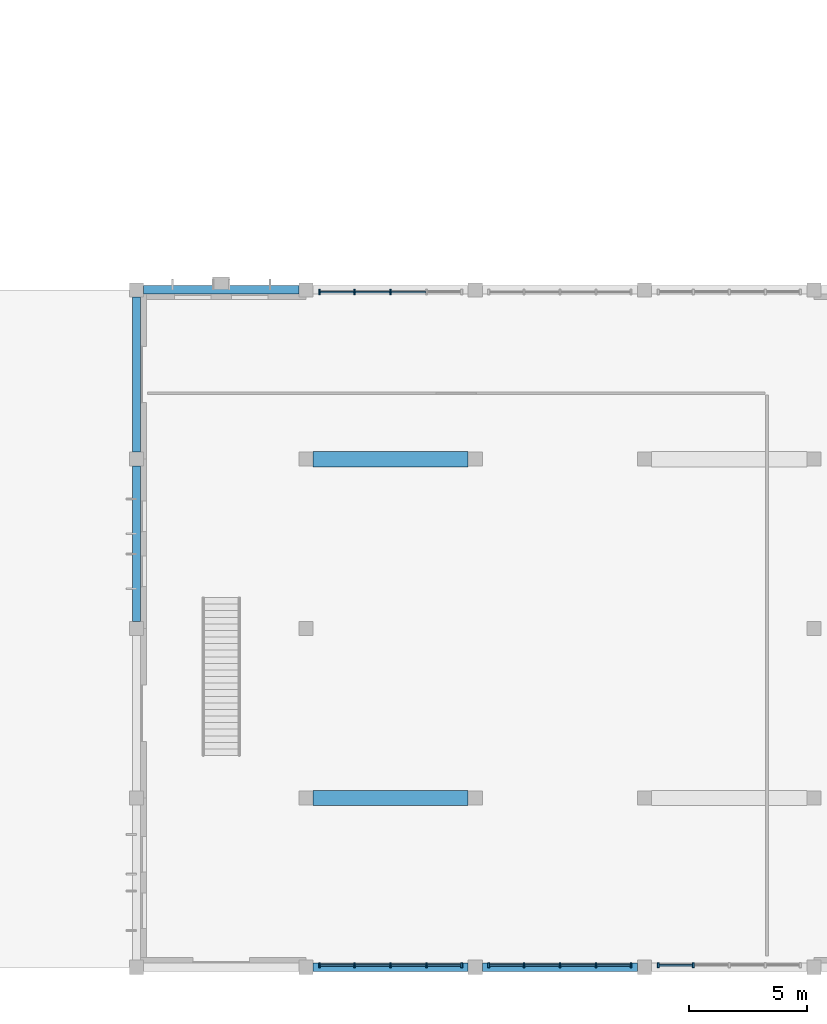
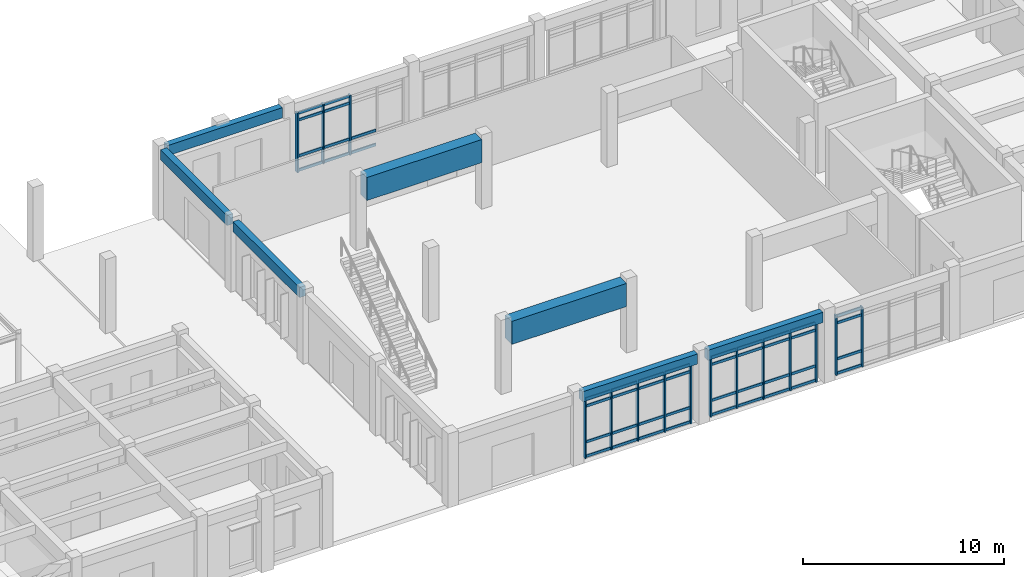
# One storey, part 11 of 43: 61 members, 7 beams, 4 elements without a shape of their own.
"""IFC4 building model written with IfcOpenShell, lengths in metres."""

from ifc_helpers import new_model, si_unit, direction, frame, origin, origin_2d, place, context, subcontext, project, spatial, rectangle, extrude, material, material_profile, profile_set, type_object, element, aggregate, save


model = new_model("IFC4")

# Units and contexts
model_context = context("Model", 3, precision=1e-05, world=origin(), true_north=direction((0.0, 1.0)))
body_context = subcontext(model_context, "Body", "Model", "MODEL_VIEW")
ifc_project = project(units=[si_unit("LENGTHUNIT", "METRE"), si_unit("AREAUNIT", "SQUARE_METRE"), si_unit("VOLUMEUNIT", "CUBIC_METRE"), si_unit("PLANEANGLEUNIT", "RADIAN"), si_unit("MASSUNIT", "GRAM", prefix="KILO")], contexts=[model_context])

# Site, building, storey
site_placement = place(None, origin())
site = spatial("IfcSite", under=ifc_project, at=site_placement, CompositionType="ELEMENT")
building_placement = place(site_placement, origin())
building = spatial("IfcBuilding", under=site, at=building_placement, Name="Alvorim Cloister Faculty of Sciences", CompositionType="ELEMENT")
storey_placement = place(building_placement, origin())
storey = spatial("IfcBuildingStorey", under=building, at=storey_placement, Name="L00", CompositionType="ELEMENT", Elevation=0.0)

# Beams
ifc_material_1 = material(Name="Concrete C40", Category="concrete")
ifc_material_profile_1 = material_profile(ifc_material_1, rectangle(XDim=0.35009765625, YDim=0.6201171875, at=origin_2d()), Name="RC40-SPD-350x620")
ifc_profile_set_1 = profile_set([ifc_material_profile_1], Name="Concrete C40")
beam_type_1 = type_object("IfcBeamType", Name="BM-SPD-RC-350x620", PredefinedType="SPANDREL", material=ifc_profile_set_1)
for number, where, z_axis, x_axis, name in (
    (1, (79.5, 0.0, 3.93994140625), (1.0, 0.0, 0.0), (0.0, 1.0, 0.0), "L00 Primary Beam BM-0599"),
    (2, (86.699951171875, 0.0, 3.93994140625), (1.0, 0.0, 0.0), (0.0, 1.0, 0.0), "L00 Primary Beam BM-0600"),
):
    element("IfcBeam", number, at=place(storey_placement, frame(where, z_axis=z_axis, x_axis=x_axis)), inside=storey, type_object=beam_type_1, Name=name, PredefinedType="SPANDREL", context=body_context, shape_type="SweptSolid", body=[
        extrude(rectangle(XDim=0.35009765625, YDim=0.6201171875, at=origin_2d()), origin(), (0.0, 0.0, 1.0), 6.60009765625),
    ])
beam_placement = place(storey_placement, frame((72.300048828125, 28.800048828125, 3.93994140625), z_axis=(1.0, 0.0, 0.0), x_axis=(0.0, 1.0, 0.0)))
element("IfcBeam", 3, at=beam_placement, inside=storey, type_object=beam_type_1, Name="L00 Primary Beam BM-0635", PredefinedType="SPANDREL", context=body_context, shape_type="SweptSolid", body=[
    extrude(rectangle(XDim=0.35009765625, YDim=0.6201171875, at=origin_2d()), origin(), (0.0, 0.0, 1.0), 6.599853515625),
])
for number, where, z_axis, x_axis, name in (
    (4, (72.0, 14.699951171875, 3.93994140625), (0.0, 1.0, 0.0), (-1.0, 0.0, 0.0), "L00 Primary Girder BM-0796"),
    (5, (72.0, 21.89990234375, 3.93994140625), (0.0, 1.0, 0.0), (-1.0, 0.0, 0.0), "L00 Primary Girder BM-0797"),
):
    element("IfcBeam", number, at=place(storey_placement, frame(where, z_axis=z_axis, x_axis=x_axis)), inside=storey, type_object=beam_type_1, Name=name, PredefinedType="SPANDREL", context=body_context, shape_type="SweptSolid", body=[
        extrude(rectangle(XDim=0.35009765625, YDim=0.6201171875, at=origin_2d()), origin(), (0.0, 0.0, 1.0), 6.60009765625),
    ])
ifc_material_2 = material(Name="Concrete C45", Category="concrete")
ifc_material_profile_2 = material_profile(ifc_material_2, rectangle(XDim=0.64990234375, YDim=1.39990234375, at=origin_2d()), Name="RC45-TG-650x1400")
ifc_profile_set_2 = profile_set([ifc_material_profile_2], Name="Concrete C45")
beam_type_2 = type_object("IfcBeamType", Name="BM-TG-650x1400", PredefinedType="USERDEFINED", material=ifc_profile_set_2)
for number, where, z_axis, x_axis, name in (
    (6, (79.5, 7.199951171875, 3.550048828125), (1.0, 0.0, 0.0), (0.0, 1.0, 0.0), "L00 Atrium Portal Transfer Girder BM-0230"),
    (7, (79.5, 21.60009765625, 3.550048828125), (1.0, 0.0, 0.0), (0.0, 1.0, 0.0), "L00 Atrium Portal Transfer Girder BM-0232"),
):
    element("IfcBeam", number, at=place(storey_placement, frame(where, z_axis=z_axis, x_axis=x_axis)), inside=storey, type_object=beam_type_2, Name=name, ObjectType="TRANSFER GIRDER", PredefinedType="USERDEFINED", context=body_context, shape_type="SweptSolid", body=[
        extrude(rectangle(XDim=0.64990234375, YDim=1.39990234375, at=origin_2d()), origin(), (0.0, 0.0, 1.0), 6.60009765625),
    ])

# Curtain wall, members
ifc_material_3 = material(Name="Aluminium and Low-E Glass Curtain Wall", Category="aluminium")
curtain_wall_type = type_object("IfcCurtainWallType", Name="CW-GLZ-6120x3630", PredefinedType="USERDEFINED", material=ifc_material_3)
curtain_wall_1_placement = place(storey_placement, origin())
curtain_wall_1 = element("IfcCurtainWall", 8, at=curtain_wall_1_placement, inside=storey, type_object=curtain_wall_type, Name="L00 Entrance and Atrium Glazed Curtain Wall CW-0001", ObjectType="UNITISED CURTAIN WALL", PredefinedType="USERDEFINED")
ifc_material_4 = material(Name="Aluminium Alloy 6063-T6", Category="aluminium")
ifc_material_profile_3 = material_profile(ifc_material_4, rectangle(XDim=0.074951171875, YDim=0.219970703125, at=origin_2d()), Name="ALU-MUL-75x220")
ifc_profile_set_3 = profile_set([ifc_material_profile_3], Name="Aluminium Alloy 6063-T6")
member_type_1 = type_object("IfcMemberType", Name="CW-MUL-75x220", PredefinedType="MULLION", material=ifc_profile_set_3)
member_1_placement = place(storey_placement, frame((94.177490234375, 0.090087890625, 0.0), z_axis=(0.0, 0.0, 1.0), x_axis=(1.0, 0.0, 0.0)))
member_1 = element("IfcMember", 9, at=member_1_placement, type_object=member_type_1, Name="CW-01 mullion 1", PredefinedType="MULLION", context=body_context, shape_type="SweptSolid", body=[
    extrude(rectangle(XDim=0.074951171875, YDim=0.219970703125, at=origin_2d()), origin(), (0.0, 0.0, 1.0), 3.6298828125),
])
member_2_placement = place(storey_placement, frame((95.669921875, 0.090087890625, 0.0), z_axis=(0.0, 0.0, 1.0), x_axis=(1.0, 0.0, 0.0)))
member_2 = element("IfcMember", 10, at=member_2_placement, type_object=member_type_1, Name="CW-01 mullion 2", PredefinedType="MULLION", context=body_context, shape_type="SweptSolid", body=[
    extrude(rectangle(XDim=0.074951171875, YDim=0.219970703125, at=origin_2d()), origin(), (0.0, 0.0, 1.0), 3.6298828125),
])

curtain_wall_2_placement = place(storey_placement, origin())
curtain_wall_2 = element("IfcCurtainWall", 11, at=curtain_wall_2_placement, inside=storey, type_object=curtain_wall_type, Name="L00 Entrance and Atrium Glazed Curtain Wall CW-0002", ObjectType="UNITISED CURTAIN WALL", PredefinedType="USERDEFINED")
member_3_placement = place(storey_placement, frame((86.9775390625, 0.090087890625, 0.0), z_axis=(0.0, 0.0, 1.0), x_axis=(1.0, 0.0, 0.0)))
member_3 = element("IfcMember", 12, at=member_3_placement, type_object=member_type_1, Name="CW-01 mullion 1", PredefinedType="MULLION", context=body_context, shape_type="SweptSolid", body=[
    extrude(rectangle(XDim=0.074951171875, YDim=0.219970703125, at=origin_2d()), origin(), (0.0, 0.0, 1.0), 3.6298828125),
])
member_4_placement = place(storey_placement, frame((88.469970703125, 0.090087890625, 0.0), z_axis=(0.0, 0.0, 1.0), x_axis=(1.0, 0.0, 0.0)))
member_4 = element("IfcMember", 13, at=member_4_placement, type_object=member_type_1, Name="CW-01 mullion 2", PredefinedType="MULLION", context=body_context, shape_type="SweptSolid", body=[
    extrude(rectangle(XDim=0.074951171875, YDim=0.219970703125, at=origin_2d()), origin(), (0.0, 0.0, 1.0), 3.6298828125),
])
member_5_placement = place(storey_placement, frame((90.0, 0.090087890625, 0.0), z_axis=(0.0, 0.0, 1.0), x_axis=(1.0, 0.0, 0.0)))
member_5 = element("IfcMember", 14, at=member_5_placement, type_object=member_type_1, Name="CW-01 mullion 3", PredefinedType="MULLION", context=body_context, shape_type="SweptSolid", body=[
    extrude(rectangle(XDim=0.074951171875, YDim=0.219970703125, at=origin_2d()), origin(), (0.0, 0.0, 1.0), 3.6298828125),
])
member_6_placement = place(storey_placement, frame((91.530029296875, 0.090087890625, 0.0), z_axis=(0.0, 0.0, 1.0), x_axis=(1.0, 0.0, 0.0)))
member_6 = element("IfcMember", 15, at=member_6_placement, type_object=member_type_1, Name="CW-01 mullion 4", PredefinedType="MULLION", context=body_context, shape_type="SweptSolid", body=[
    extrude(rectangle(XDim=0.074951171875, YDim=0.219970703125, at=origin_2d()), origin(), (0.0, 0.0, 1.0), 3.6298828125),
])
member_7_placement = place(storey_placement, frame((93.0224609375, 0.090087890625, 0.0), z_axis=(0.0, 0.0, 1.0), x_axis=(1.0, 0.0, 0.0)))
member_7 = element("IfcMember", 16, at=member_7_placement, type_object=member_type_1, Name="CW-01 mullion 5", PredefinedType="MULLION", context=body_context, shape_type="SweptSolid", body=[
    extrude(rectangle(XDim=0.074951171875, YDim=0.219970703125, at=origin_2d()), origin(), (0.0, 0.0, 1.0), 3.6298828125),
])

curtain_wall_3_placement = place(storey_placement, origin())
curtain_wall_3 = element("IfcCurtainWall", 17, at=curtain_wall_3_placement, inside=storey, type_object=curtain_wall_type, Name="L00 Entrance and Atrium Glazed Curtain Wall CW-0003", ObjectType="UNITISED CURTAIN WALL", PredefinedType="USERDEFINED")
member_8_placement = place(storey_placement, frame((79.777587890625, 0.090087890625, 0.0), z_axis=(0.0, 0.0, 1.0), x_axis=(1.0, 0.0, 0.0)))
member_8 = element("IfcMember", 18, at=member_8_placement, type_object=member_type_1, Name="CW-01 mullion 1", PredefinedType="MULLION", context=body_context, shape_type="SweptSolid", body=[
    extrude(rectangle(XDim=0.074951171875, YDim=0.219970703125, at=origin_2d()), origin(), (0.0, 0.0, 1.0), 3.6298828125),
])
member_9_placement = place(storey_placement, frame((81.27001953125, 0.090087890625, 0.0), z_axis=(0.0, 0.0, 1.0), x_axis=(1.0, 0.0, 0.0)))
member_9 = element("IfcMember", 19, at=member_9_placement, type_object=member_type_1, Name="CW-01 mullion 2", PredefinedType="MULLION", context=body_context, shape_type="SweptSolid", body=[
    extrude(rectangle(XDim=0.074951171875, YDim=0.219970703125, at=origin_2d()), origin(), (0.0, 0.0, 1.0), 3.6298828125),
])
member_10_placement = place(storey_placement, frame((82.800048828125, 0.090087890625, 0.0), z_axis=(0.0, 0.0, 1.0), x_axis=(1.0, 0.0, 0.0)))
member_10 = element("IfcMember", 20, at=member_10_placement, type_object=member_type_1, Name="CW-01 mullion 3", PredefinedType="MULLION", context=body_context, shape_type="SweptSolid", body=[
    extrude(rectangle(XDim=0.074951171875, YDim=0.219970703125, at=origin_2d()), origin(), (0.0, 0.0, 1.0), 3.6298828125),
])
member_11_placement = place(storey_placement, frame((84.330078125, 0.090087890625, 0.0), z_axis=(0.0, 0.0, 1.0), x_axis=(1.0, 0.0, 0.0)))
member_11 = element("IfcMember", 21, at=member_11_placement, type_object=member_type_1, Name="CW-01 mullion 4", PredefinedType="MULLION", context=body_context, shape_type="SweptSolid", body=[
    extrude(rectangle(XDim=0.074951171875, YDim=0.219970703125, at=origin_2d()), origin(), (0.0, 0.0, 1.0), 3.6298828125),
])
member_12_placement = place(storey_placement, frame((85.822509765625, 0.090087890625, 0.0), z_axis=(0.0, 0.0, 1.0), x_axis=(1.0, 0.0, 0.0)))
member_12 = element("IfcMember", 22, at=member_12_placement, type_object=member_type_1, Name="CW-01 mullion 5", PredefinedType="MULLION", context=body_context, shape_type="SweptSolid", body=[
    extrude(rectangle(XDim=0.074951171875, YDim=0.219970703125, at=origin_2d()), origin(), (0.0, 0.0, 1.0), 3.6298828125),
])

curtain_wall_4_placement = place(storey_placement, origin())
curtain_wall_4 = element("IfcCurtainWall", 23, at=curtain_wall_4_placement, inside=storey, type_object=curtain_wall_type, Name="L00 Entrance and Atrium Glazed Curtain Wall CW-0004", ObjectType="UNITISED CURTAIN WALL", PredefinedType="USERDEFINED")
member_13_placement = place(storey_placement, frame((79.777587890625, 28.7099609375, 0.0), z_axis=(0.0, 0.0, 1.0), x_axis=(1.0, 0.0, 0.0)))
member_13 = element("IfcMember", 24, at=member_13_placement, type_object=member_type_1, Name="CW-01 mullion 1", PredefinedType="MULLION", context=body_context, shape_type="SweptSolid", body=[
    extrude(rectangle(XDim=0.074951171875, YDim=0.219970703125, at=origin_2d()), origin(), (0.0, 0.0, 1.0), 3.6298828125),
])
member_14_placement = place(storey_placement, frame((81.27001953125, 28.7099609375, 0.0), z_axis=(0.0, 0.0, 1.0), x_axis=(1.0, 0.0, 0.0)))
member_14 = element("IfcMember", 25, at=member_14_placement, type_object=member_type_1, Name="CW-01 mullion 2", PredefinedType="MULLION", context=body_context, shape_type="SweptSolid", body=[
    extrude(rectangle(XDim=0.074951171875, YDim=0.219970703125, at=origin_2d()), origin(), (0.0, 0.0, 1.0), 3.6298828125),
])
member_15_placement = place(storey_placement, frame((82.800048828125, 28.7099609375, 0.0), z_axis=(0.0, 0.0, 1.0), x_axis=(1.0, 0.0, 0.0)))
member_15 = element("IfcMember", 26, at=member_15_placement, type_object=member_type_1, Name="CW-01 mullion 3", PredefinedType="MULLION", context=body_context, shape_type="SweptSolid", body=[
    extrude(rectangle(XDim=0.074951171875, YDim=0.219970703125, at=origin_2d()), origin(), (0.0, 0.0, 1.0), 3.6298828125),
])

# Member
ifc_material_profile_4 = material_profile(ifc_material_4, rectangle(XDim=0.074951171875, YDim=0.159912109375, at=origin_2d()), Name="ALU-TRN-75x160")
ifc_profile_set_4 = profile_set([ifc_material_profile_4], Name="Aluminium Alloy 6063-T6")
member_type_2 = type_object("IfcMemberType", Name="CW-TRN-75x160", PredefinedType="USERDEFINED", material=ifc_profile_set_4)
member_16_placement = place(storey_placement, frame((94.215087890625, 0.090087890625, 0.080078125), z_axis=(1.0, 0.0, 0.0), x_axis=(0.0, 1.0, 0.0)))
member_16 = element("IfcMember", 27, at=member_16_placement, type_object=member_type_2, Name="CW-01 transom 1.1", ObjectType="TRANSOM", PredefinedType="USERDEFINED", context=body_context, shape_type="SweptSolid", body=[
    extrude(rectangle(XDim=0.074951171875, YDim=0.159912109375, at=origin_2d()), origin(), (0.0, 0.0, 1.0), 1.41748046875),
])

member_17_placement = place(storey_placement, frame((94.215087890625, 0.090087890625, 0.949951171875), z_axis=(1.0, 0.0, 0.0), x_axis=(0.0, 1.0, 0.0)))
member_17 = element("IfcMember", 28, at=member_17_placement, type_object=member_type_2, Name="CW-01 transom 1.2", ObjectType="TRANSOM", PredefinedType="USERDEFINED", context=body_context, shape_type="SweptSolid", body=[
    extrude(rectangle(XDim=0.074951171875, YDim=0.159912109375, at=origin_2d()), origin(), (0.0, 0.0, 1.0), 1.41748046875),
])

member_18_placement = place(storey_placement, frame((94.215087890625, 0.090087890625, 3.1298828125), z_axis=(1.0, 0.0, 0.0), x_axis=(0.0, 1.0, 0.0)))
member_18 = element("IfcMember", 29, at=member_18_placement, type_object=member_type_2, Name="CW-01 transom 1.3", ObjectType="TRANSOM", PredefinedType="USERDEFINED", context=body_context, shape_type="SweptSolid", body=[
    extrude(rectangle(XDim=0.074951171875, YDim=0.159912109375, at=origin_2d()), origin(), (0.0, 0.0, 1.0), 1.41748046875),
])

member_19_placement = place(storey_placement, frame((94.215087890625, 0.090087890625, 3.550048828125), z_axis=(1.0, 0.0, 0.0), x_axis=(0.0, 1.0, 0.0)))
member_19 = element("IfcMember", 30, at=member_19_placement, type_object=member_type_2, Name="CW-01 transom 1.4", ObjectType="TRANSOM", PredefinedType="USERDEFINED", context=body_context, shape_type="SweptSolid", body=[
    extrude(rectangle(XDim=0.074951171875, YDim=0.159912109375, at=origin_2d()), origin(), (0.0, 0.0, 1.0), 1.41748046875),
])

aggregate(curtain_wall_1, [member_1, member_2, member_16, member_17, member_18, member_19])

member_20_placement = place(storey_placement, frame((87.014892578125, 0.090087890625, 0.080078125), z_axis=(1.0, 0.0, 0.0), x_axis=(0.0, 1.0, 0.0)))
member_20 = element("IfcMember", 31, at=member_20_placement, type_object=member_type_2, Name="CW-01 transom 1.1", ObjectType="TRANSOM", PredefinedType="USERDEFINED", context=body_context, shape_type="SweptSolid", body=[
    extrude(rectangle(XDim=0.074951171875, YDim=0.159912109375, at=origin_2d()), origin(), (0.0, 0.0, 1.0), 1.417724609375),
])

member_21_placement = place(storey_placement, frame((87.014892578125, 0.090087890625, 0.949951171875), z_axis=(1.0, 0.0, 0.0), x_axis=(0.0, 1.0, 0.0)))
member_21 = element("IfcMember", 32, at=member_21_placement, type_object=member_type_2, Name="CW-01 transom 1.2", ObjectType="TRANSOM", PredefinedType="USERDEFINED", context=body_context, shape_type="SweptSolid", body=[
    extrude(rectangle(XDim=0.074951171875, YDim=0.159912109375, at=origin_2d()), origin(), (0.0, 0.0, 1.0), 1.417724609375),
])

member_22_placement = place(storey_placement, frame((87.014892578125, 0.090087890625, 3.1298828125), z_axis=(1.0, 0.0, 0.0), x_axis=(0.0, 1.0, 0.0)))
member_22 = element("IfcMember", 33, at=member_22_placement, type_object=member_type_2, Name="CW-01 transom 1.3", ObjectType="TRANSOM", PredefinedType="USERDEFINED", context=body_context, shape_type="SweptSolid", body=[
    extrude(rectangle(XDim=0.074951171875, YDim=0.159912109375, at=origin_2d()), origin(), (0.0, 0.0, 1.0), 1.417724609375),
])

member_23_placement = place(storey_placement, frame((87.014892578125, 0.090087890625, 3.550048828125), z_axis=(1.0, 0.0, 0.0), x_axis=(0.0, 1.0, 0.0)))
member_23 = element("IfcMember", 34, at=member_23_placement, type_object=member_type_2, Name="CW-01 transom 1.4", ObjectType="TRANSOM", PredefinedType="USERDEFINED", context=body_context, shape_type="SweptSolid", body=[
    extrude(rectangle(XDim=0.074951171875, YDim=0.159912109375, at=origin_2d()), origin(), (0.0, 0.0, 1.0), 1.417724609375),
])

member_24_placement = place(storey_placement, frame((88.507568359375, 0.090087890625, 0.080078125), z_axis=(1.0, 0.0, 0.0), x_axis=(0.0, 1.0, 0.0)))
member_24 = element("IfcMember", 35, at=member_24_placement, type_object=member_type_2, Name="CW-01 transom 2.1", ObjectType="TRANSOM", PredefinedType="USERDEFINED", context=body_context, shape_type="SweptSolid", body=[
    extrude(rectangle(XDim=0.074951171875, YDim=0.159912109375, at=origin_2d()), origin(), (0.0, 0.0, 1.0), 1.454833984375),
])

member_25_placement = place(storey_placement, frame((88.507568359375, 0.090087890625, 0.949951171875), z_axis=(1.0, 0.0, 0.0), x_axis=(0.0, 1.0, 0.0)))
member_25 = element("IfcMember", 36, at=member_25_placement, type_object=member_type_2, Name="CW-01 transom 2.2", ObjectType="TRANSOM", PredefinedType="USERDEFINED", context=body_context, shape_type="SweptSolid", body=[
    extrude(rectangle(XDim=0.074951171875, YDim=0.159912109375, at=origin_2d()), origin(), (0.0, 0.0, 1.0), 1.454833984375),
])

member_26_placement = place(storey_placement, frame((88.507568359375, 0.090087890625, 3.1298828125), z_axis=(1.0, 0.0, 0.0), x_axis=(0.0, 1.0, 0.0)))
member_26 = element("IfcMember", 37, at=member_26_placement, type_object=member_type_2, Name="CW-01 transom 2.3", ObjectType="TRANSOM", PredefinedType="USERDEFINED", context=body_context, shape_type="SweptSolid", body=[
    extrude(rectangle(XDim=0.074951171875, YDim=0.159912109375, at=origin_2d()), origin(), (0.0, 0.0, 1.0), 1.454833984375),
])

member_27_placement = place(storey_placement, frame((88.507568359375, 0.090087890625, 3.550048828125), z_axis=(1.0, 0.0, 0.0), x_axis=(0.0, 1.0, 0.0)))
member_27 = element("IfcMember", 38, at=member_27_placement, type_object=member_type_2, Name="CW-01 transom 2.4", ObjectType="TRANSOM", PredefinedType="USERDEFINED", context=body_context, shape_type="SweptSolid", body=[
    extrude(rectangle(XDim=0.074951171875, YDim=0.159912109375, at=origin_2d()), origin(), (0.0, 0.0, 1.0), 1.454833984375),
])

member_28_placement = place(storey_placement, frame((90.03759765625, 0.090087890625, 0.080078125), z_axis=(1.0, 0.0, 0.0), x_axis=(0.0, 1.0, 0.0)))
member_28 = element("IfcMember", 39, at=member_28_placement, type_object=member_type_2, Name="CW-01 transom 3.1", ObjectType="TRANSOM", PredefinedType="USERDEFINED", context=body_context, shape_type="SweptSolid", body=[
    extrude(rectangle(XDim=0.074951171875, YDim=0.159912109375, at=origin_2d()), origin(), (0.0, 0.0, 1.0), 1.454833984375),
])

member_29_placement = place(storey_placement, frame((90.03759765625, 0.090087890625, 0.949951171875), z_axis=(1.0, 0.0, 0.0), x_axis=(0.0, 1.0, 0.0)))
member_29 = element("IfcMember", 40, at=member_29_placement, type_object=member_type_2, Name="CW-01 transom 3.2", ObjectType="TRANSOM", PredefinedType="USERDEFINED", context=body_context, shape_type="SweptSolid", body=[
    extrude(rectangle(XDim=0.074951171875, YDim=0.159912109375, at=origin_2d()), origin(), (0.0, 0.0, 1.0), 1.454833984375),
])

member_30_placement = place(storey_placement, frame((90.03759765625, 0.090087890625, 3.1298828125), z_axis=(1.0, 0.0, 0.0), x_axis=(0.0, 1.0, 0.0)))
member_30 = element("IfcMember", 41, at=member_30_placement, type_object=member_type_2, Name="CW-01 transom 3.3", ObjectType="TRANSOM", PredefinedType="USERDEFINED", context=body_context, shape_type="SweptSolid", body=[
    extrude(rectangle(XDim=0.074951171875, YDim=0.159912109375, at=origin_2d()), origin(), (0.0, 0.0, 1.0), 1.454833984375),
])

member_31_placement = place(storey_placement, frame((90.03759765625, 0.090087890625, 3.550048828125), z_axis=(1.0, 0.0, 0.0), x_axis=(0.0, 1.0, 0.0)))
member_31 = element("IfcMember", 42, at=member_31_placement, type_object=member_type_2, Name="CW-01 transom 3.4", ObjectType="TRANSOM", PredefinedType="USERDEFINED", context=body_context, shape_type="SweptSolid", body=[
    extrude(rectangle(XDim=0.074951171875, YDim=0.159912109375, at=origin_2d()), origin(), (0.0, 0.0, 1.0), 1.454833984375),
])

member_32_placement = place(storey_placement, frame((91.5673828125, 0.090087890625, 0.080078125), z_axis=(1.0, 0.0, 0.0), x_axis=(0.0, 1.0, 0.0)))
member_32 = element("IfcMember", 43, at=member_32_placement, type_object=member_type_2, Name="CW-01 transom 4.1", ObjectType="TRANSOM", PredefinedType="USERDEFINED", context=body_context, shape_type="SweptSolid", body=[
    extrude(rectangle(XDim=0.074951171875, YDim=0.159912109375, at=origin_2d()), origin(), (0.0, 0.0, 1.0), 1.417724609375),
])

member_33_placement = place(storey_placement, frame((91.5673828125, 0.090087890625, 0.949951171875), z_axis=(1.0, 0.0, 0.0), x_axis=(0.0, 1.0, 0.0)))
member_33 = element("IfcMember", 44, at=member_33_placement, type_object=member_type_2, Name="CW-01 transom 4.2", ObjectType="TRANSOM", PredefinedType="USERDEFINED", context=body_context, shape_type="SweptSolid", body=[
    extrude(rectangle(XDim=0.074951171875, YDim=0.159912109375, at=origin_2d()), origin(), (0.0, 0.0, 1.0), 1.417724609375),
])

member_34_placement = place(storey_placement, frame((91.5673828125, 0.090087890625, 3.1298828125), z_axis=(1.0, 0.0, 0.0), x_axis=(0.0, 1.0, 0.0)))
member_34 = element("IfcMember", 45, at=member_34_placement, type_object=member_type_2, Name="CW-01 transom 4.3", ObjectType="TRANSOM", PredefinedType="USERDEFINED", context=body_context, shape_type="SweptSolid", body=[
    extrude(rectangle(XDim=0.074951171875, YDim=0.159912109375, at=origin_2d()), origin(), (0.0, 0.0, 1.0), 1.417724609375),
])

member_35_placement = place(storey_placement, frame((91.5673828125, 0.090087890625, 3.550048828125), z_axis=(1.0, 0.0, 0.0), x_axis=(0.0, 1.0, 0.0)))
member_35 = element("IfcMember", 46, at=member_35_placement, type_object=member_type_2, Name="CW-01 transom 4.4", ObjectType="TRANSOM", PredefinedType="USERDEFINED", context=body_context, shape_type="SweptSolid", body=[
    extrude(rectangle(XDim=0.074951171875, YDim=0.159912109375, at=origin_2d()), origin(), (0.0, 0.0, 1.0), 1.417724609375),
])

aggregate(curtain_wall_2, [member_3, member_4, member_5, member_6, member_7, member_20, member_21, member_22, member_23, member_24, member_25, member_26, member_27, member_28, member_29, member_30, member_31, member_32, member_33, member_34, member_35])

member_36_placement = place(storey_placement, frame((79.81494140625, 0.090087890625, 0.080078125), z_axis=(1.0, 0.0, 0.0), x_axis=(0.0, 1.0, 0.0)))
member_36 = element("IfcMember", 47, at=member_36_placement, type_object=member_type_2, Name="CW-01 transom 1.1", ObjectType="TRANSOM", PredefinedType="USERDEFINED", context=body_context, shape_type="SweptSolid", body=[
    extrude(rectangle(XDim=0.074951171875, YDim=0.159912109375, at=origin_2d()), origin(), (0.0, 0.0, 1.0), 1.41748046875),
])

member_37_placement = place(storey_placement, frame((79.81494140625, 0.090087890625, 0.949951171875), z_axis=(1.0, 0.0, 0.0), x_axis=(0.0, 1.0, 0.0)))
member_37 = element("IfcMember", 48, at=member_37_placement, type_object=member_type_2, Name="CW-01 transom 1.2", ObjectType="TRANSOM", PredefinedType="USERDEFINED", context=body_context, shape_type="SweptSolid", body=[
    extrude(rectangle(XDim=0.074951171875, YDim=0.159912109375, at=origin_2d()), origin(), (0.0, 0.0, 1.0), 1.41748046875),
])

member_38_placement = place(storey_placement, frame((79.81494140625, 0.090087890625, 3.1298828125), z_axis=(1.0, 0.0, 0.0), x_axis=(0.0, 1.0, 0.0)))
member_38 = element("IfcMember", 49, at=member_38_placement, type_object=member_type_2, Name="CW-01 transom 1.3", ObjectType="TRANSOM", PredefinedType="USERDEFINED", context=body_context, shape_type="SweptSolid", body=[
    extrude(rectangle(XDim=0.074951171875, YDim=0.159912109375, at=origin_2d()), origin(), (0.0, 0.0, 1.0), 1.41748046875),
])

member_39_placement = place(storey_placement, frame((79.81494140625, 0.090087890625, 3.550048828125), z_axis=(1.0, 0.0, 0.0), x_axis=(0.0, 1.0, 0.0)))
member_39 = element("IfcMember", 50, at=member_39_placement, type_object=member_type_2, Name="CW-01 transom 1.4", ObjectType="TRANSOM", PredefinedType="USERDEFINED", context=body_context, shape_type="SweptSolid", body=[
    extrude(rectangle(XDim=0.074951171875, YDim=0.159912109375, at=origin_2d()), origin(), (0.0, 0.0, 1.0), 1.41748046875),
])

member_40_placement = place(storey_placement, frame((81.3076171875, 0.090087890625, 0.080078125), z_axis=(1.0, 0.0, 0.0), x_axis=(0.0, 1.0, 0.0)))
member_40 = element("IfcMember", 51, at=member_40_placement, type_object=member_type_2, Name="CW-01 transom 2.1", ObjectType="TRANSOM", PredefinedType="USERDEFINED", context=body_context, shape_type="SweptSolid", body=[
    extrude(rectangle(XDim=0.074951171875, YDim=0.159912109375, at=origin_2d()), origin(), (0.0, 0.0, 1.0), 1.454833984375),
])

member_41_placement = place(storey_placement, frame((81.3076171875, 0.090087890625, 0.949951171875), z_axis=(1.0, 0.0, 0.0), x_axis=(0.0, 1.0, 0.0)))
member_41 = element("IfcMember", 52, at=member_41_placement, type_object=member_type_2, Name="CW-01 transom 2.2", ObjectType="TRANSOM", PredefinedType="USERDEFINED", context=body_context, shape_type="SweptSolid", body=[
    extrude(rectangle(XDim=0.074951171875, YDim=0.159912109375, at=origin_2d()), origin(), (0.0, 0.0, 1.0), 1.454833984375),
])

member_42_placement = place(storey_placement, frame((81.3076171875, 0.090087890625, 3.1298828125), z_axis=(1.0, 0.0, 0.0), x_axis=(0.0, 1.0, 0.0)))
member_42 = element("IfcMember", 53, at=member_42_placement, type_object=member_type_2, Name="CW-01 transom 2.3", ObjectType="TRANSOM", PredefinedType="USERDEFINED", context=body_context, shape_type="SweptSolid", body=[
    extrude(rectangle(XDim=0.074951171875, YDim=0.159912109375, at=origin_2d()), origin(), (0.0, 0.0, 1.0), 1.454833984375),
])

member_43_placement = place(storey_placement, frame((81.3076171875, 0.090087890625, 3.550048828125), z_axis=(1.0, 0.0, 0.0), x_axis=(0.0, 1.0, 0.0)))
member_43 = element("IfcMember", 54, at=member_43_placement, type_object=member_type_2, Name="CW-01 transom 2.4", ObjectType="TRANSOM", PredefinedType="USERDEFINED", context=body_context, shape_type="SweptSolid", body=[
    extrude(rectangle(XDim=0.074951171875, YDim=0.159912109375, at=origin_2d()), origin(), (0.0, 0.0, 1.0), 1.454833984375),
])

member_44_placement = place(storey_placement, frame((82.83740234375, 0.090087890625, 0.080078125), z_axis=(1.0, 0.0, 0.0), x_axis=(0.0, 1.0, 0.0)))
member_44 = element("IfcMember", 55, at=member_44_placement, type_object=member_type_2, Name="CW-01 transom 3.1", ObjectType="TRANSOM", PredefinedType="USERDEFINED", context=body_context, shape_type="SweptSolid", body=[
    extrude(rectangle(XDim=0.074951171875, YDim=0.159912109375, at=origin_2d()), origin(), (0.0, 0.0, 1.0), 1.455078125),
])

member_45_placement = place(storey_placement, frame((82.83740234375, 0.090087890625, 0.949951171875), z_axis=(1.0, 0.0, 0.0), x_axis=(0.0, 1.0, 0.0)))
member_45 = element("IfcMember", 56, at=member_45_placement, type_object=member_type_2, Name="CW-01 transom 3.2", ObjectType="TRANSOM", PredefinedType="USERDEFINED", context=body_context, shape_type="SweptSolid", body=[
    extrude(rectangle(XDim=0.074951171875, YDim=0.159912109375, at=origin_2d()), origin(), (0.0, 0.0, 1.0), 1.455078125),
])

member_46_placement = place(storey_placement, frame((82.83740234375, 0.090087890625, 3.1298828125), z_axis=(1.0, 0.0, 0.0), x_axis=(0.0, 1.0, 0.0)))
member_46 = element("IfcMember", 57, at=member_46_placement, type_object=member_type_2, Name="CW-01 transom 3.3", ObjectType="TRANSOM", PredefinedType="USERDEFINED", context=body_context, shape_type="SweptSolid", body=[
    extrude(rectangle(XDim=0.074951171875, YDim=0.159912109375, at=origin_2d()), origin(), (0.0, 0.0, 1.0), 1.455078125),
])

member_47_placement = place(storey_placement, frame((82.83740234375, 0.090087890625, 3.550048828125), z_axis=(1.0, 0.0, 0.0), x_axis=(0.0, 1.0, 0.0)))
member_47 = element("IfcMember", 58, at=member_47_placement, type_object=member_type_2, Name="CW-01 transom 3.4", ObjectType="TRANSOM", PredefinedType="USERDEFINED", context=body_context, shape_type="SweptSolid", body=[
    extrude(rectangle(XDim=0.074951171875, YDim=0.159912109375, at=origin_2d()), origin(), (0.0, 0.0, 1.0), 1.455078125),
])

member_48_placement = place(storey_placement, frame((84.367431640625, 0.090087890625, 0.080078125), z_axis=(1.0, 0.0, 0.0), x_axis=(0.0, 1.0, 0.0)))
member_48 = element("IfcMember", 59, at=member_48_placement, type_object=member_type_2, Name="CW-01 transom 4.1", ObjectType="TRANSOM", PredefinedType="USERDEFINED", context=body_context, shape_type="SweptSolid", body=[
    extrude(rectangle(XDim=0.074951171875, YDim=0.159912109375, at=origin_2d()), origin(), (0.0, 0.0, 1.0), 1.41748046875),
])

member_49_placement = place(storey_placement, frame((84.367431640625, 0.090087890625, 0.949951171875), z_axis=(1.0, 0.0, 0.0), x_axis=(0.0, 1.0, 0.0)))
member_49 = element("IfcMember", 60, at=member_49_placement, type_object=member_type_2, Name="CW-01 transom 4.2", ObjectType="TRANSOM", PredefinedType="USERDEFINED", context=body_context, shape_type="SweptSolid", body=[
    extrude(rectangle(XDim=0.074951171875, YDim=0.159912109375, at=origin_2d()), origin(), (0.0, 0.0, 1.0), 1.41748046875),
])

member_50_placement = place(storey_placement, frame((84.367431640625, 0.090087890625, 3.1298828125), z_axis=(1.0, 0.0, 0.0), x_axis=(0.0, 1.0, 0.0)))
member_50 = element("IfcMember", 61, at=member_50_placement, type_object=member_type_2, Name="CW-01 transom 4.3", ObjectType="TRANSOM", PredefinedType="USERDEFINED", context=body_context, shape_type="SweptSolid", body=[
    extrude(rectangle(XDim=0.074951171875, YDim=0.159912109375, at=origin_2d()), origin(), (0.0, 0.0, 1.0), 1.41748046875),
])

member_51_placement = place(storey_placement, frame((84.367431640625, 0.090087890625, 3.550048828125), z_axis=(1.0, 0.0, 0.0), x_axis=(0.0, 1.0, 0.0)))
member_51 = element("IfcMember", 62, at=member_51_placement, type_object=member_type_2, Name="CW-01 transom 4.4", ObjectType="TRANSOM", PredefinedType="USERDEFINED", context=body_context, shape_type="SweptSolid", body=[
    extrude(rectangle(XDim=0.074951171875, YDim=0.159912109375, at=origin_2d()), origin(), (0.0, 0.0, 1.0), 1.41748046875),
])

aggregate(curtain_wall_3, [member_8, member_9, member_10, member_11, member_12, member_36, member_37, member_38, member_39, member_40, member_41, member_42, member_43, member_44, member_45, member_46, member_47, member_48, member_49, member_50, member_51])

member_52_placement = place(storey_placement, frame((79.81494140625, 28.7099609375, 0.080078125), z_axis=(1.0, 0.0, 0.0), x_axis=(0.0, 1.0, 0.0)))
member_52 = element("IfcMember", 63, at=member_52_placement, type_object=member_type_2, Name="CW-01 transom 1.1", ObjectType="TRANSOM", PredefinedType="USERDEFINED", context=body_context, shape_type="SweptSolid", body=[
    extrude(rectangle(XDim=0.074951171875, YDim=0.159912109375, at=origin_2d()), origin(), (0.0, 0.0, 1.0), 1.41748046875),
])

member_53_placement = place(storey_placement, frame((79.81494140625, 28.7099609375, 0.949951171875), z_axis=(1.0, 0.0, 0.0), x_axis=(0.0, 1.0, 0.0)))
member_53 = element("IfcMember", 64, at=member_53_placement, type_object=member_type_2, Name="CW-01 transom 1.2", ObjectType="TRANSOM", PredefinedType="USERDEFINED", context=body_context, shape_type="SweptSolid", body=[
    extrude(rectangle(XDim=0.074951171875, YDim=0.159912109375, at=origin_2d()), origin(), (0.0, 0.0, 1.0), 1.41748046875),
])

member_54_placement = place(storey_placement, frame((79.81494140625, 28.7099609375, 3.1298828125), z_axis=(1.0, 0.0, 0.0), x_axis=(0.0, 1.0, 0.0)))
member_54 = element("IfcMember", 65, at=member_54_placement, type_object=member_type_2, Name="CW-01 transom 1.3", ObjectType="TRANSOM", PredefinedType="USERDEFINED", context=body_context, shape_type="SweptSolid", body=[
    extrude(rectangle(XDim=0.074951171875, YDim=0.159912109375, at=origin_2d()), origin(), (0.0, 0.0, 1.0), 1.41748046875),
])

member_55_placement = place(storey_placement, frame((79.81494140625, 28.7099609375, 3.550048828125), z_axis=(1.0, 0.0, 0.0), x_axis=(0.0, 1.0, 0.0)))
member_55 = element("IfcMember", 66, at=member_55_placement, type_object=member_type_2, Name="CW-01 transom 1.4", ObjectType="TRANSOM", PredefinedType="USERDEFINED", context=body_context, shape_type="SweptSolid", body=[
    extrude(rectangle(XDim=0.074951171875, YDim=0.159912109375, at=origin_2d()), origin(), (0.0, 0.0, 1.0), 1.41748046875),
])

member_56_placement = place(storey_placement, frame((81.3076171875, 28.7099609375, 0.080078125), z_axis=(1.0, 0.0, 0.0), x_axis=(0.0, 1.0, 0.0)))
member_56 = element("IfcMember", 67, at=member_56_placement, type_object=member_type_2, Name="CW-01 transom 2.1", ObjectType="TRANSOM", PredefinedType="USERDEFINED", context=body_context, shape_type="SweptSolid", body=[
    extrude(rectangle(XDim=0.074951171875, YDim=0.159912109375, at=origin_2d()), origin(), (0.0, 0.0, 1.0), 1.454833984375),
])

member_57_placement = place(storey_placement, frame((81.3076171875, 28.7099609375, 0.949951171875), z_axis=(1.0, 0.0, 0.0), x_axis=(0.0, 1.0, 0.0)))
member_57 = element("IfcMember", 68, at=member_57_placement, type_object=member_type_2, Name="CW-01 transom 2.2", ObjectType="TRANSOM", PredefinedType="USERDEFINED", context=body_context, shape_type="SweptSolid", body=[
    extrude(rectangle(XDim=0.074951171875, YDim=0.159912109375, at=origin_2d()), origin(), (0.0, 0.0, 1.0), 1.454833984375),
])

member_58_placement = place(storey_placement, frame((81.3076171875, 28.7099609375, 3.1298828125), z_axis=(1.0, 0.0, 0.0), x_axis=(0.0, 1.0, 0.0)))
member_58 = element("IfcMember", 69, at=member_58_placement, type_object=member_type_2, Name="CW-01 transom 2.3", ObjectType="TRANSOM", PredefinedType="USERDEFINED", context=body_context, shape_type="SweptSolid", body=[
    extrude(rectangle(XDim=0.074951171875, YDim=0.159912109375, at=origin_2d()), origin(), (0.0, 0.0, 1.0), 1.454833984375),
])

member_59_placement = place(storey_placement, frame((81.3076171875, 28.7099609375, 3.550048828125), z_axis=(1.0, 0.0, 0.0), x_axis=(0.0, 1.0, 0.0)))
member_59 = element("IfcMember", 70, at=member_59_placement, type_object=member_type_2, Name="CW-01 transom 2.4", ObjectType="TRANSOM", PredefinedType="USERDEFINED", context=body_context, shape_type="SweptSolid", body=[
    extrude(rectangle(XDim=0.074951171875, YDim=0.159912109375, at=origin_2d()), origin(), (0.0, 0.0, 1.0), 1.454833984375),
])

member_60_placement = place(storey_placement, frame((82.83740234375, 28.7099609375, 0.080078125), z_axis=(1.0, 0.0, 0.0), x_axis=(0.0, 1.0, 0.0)))
member_60 = element("IfcMember", 71, at=member_60_placement, type_object=member_type_2, Name="CW-01 transom 3.1", ObjectType="TRANSOM", PredefinedType="USERDEFINED", context=body_context, shape_type="SweptSolid", body=[
    extrude(rectangle(XDim=0.074951171875, YDim=0.159912109375, at=origin_2d()), origin(), (0.0, 0.0, 1.0), 1.455078125),
])

member_61_placement = place(storey_placement, frame((82.83740234375, 28.7099609375, 0.949951171875), z_axis=(1.0, 0.0, 0.0), x_axis=(0.0, 1.0, 0.0)))
member_61 = element("IfcMember", 72, at=member_61_placement, type_object=member_type_2, Name="CW-01 transom 3.2", ObjectType="TRANSOM", PredefinedType="USERDEFINED", context=body_context, shape_type="SweptSolid", body=[
    extrude(rectangle(XDim=0.074951171875, YDim=0.159912109375, at=origin_2d()), origin(), (0.0, 0.0, 1.0), 1.455078125),
])

aggregate(curtain_wall_4, [member_13, member_14, member_15, member_52, member_53, member_54, member_55, member_56, member_57, member_58, member_59, member_60, member_61])

save(model, "model.ifc")
